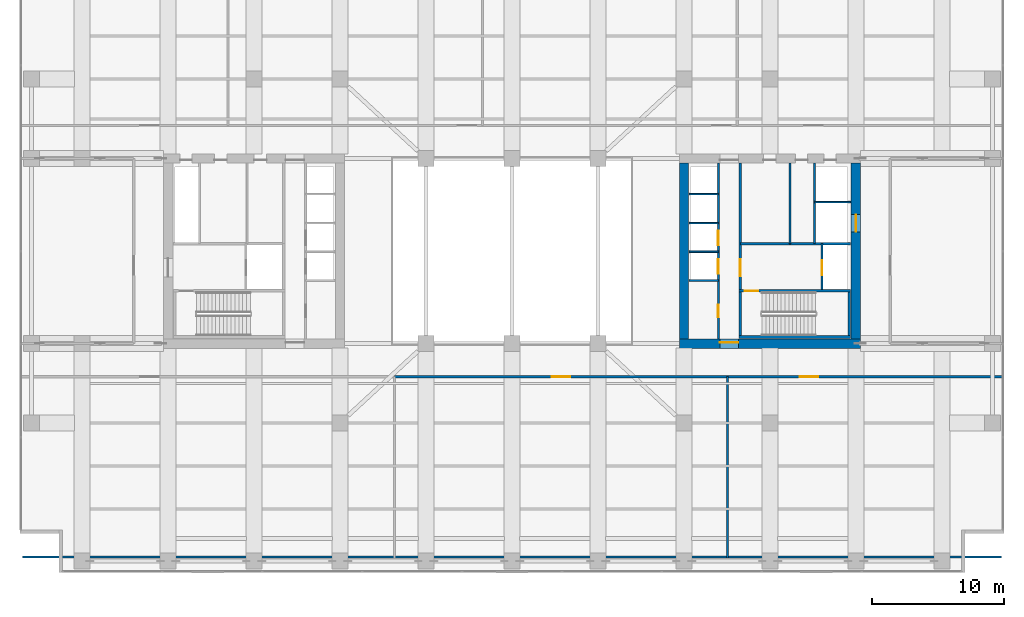
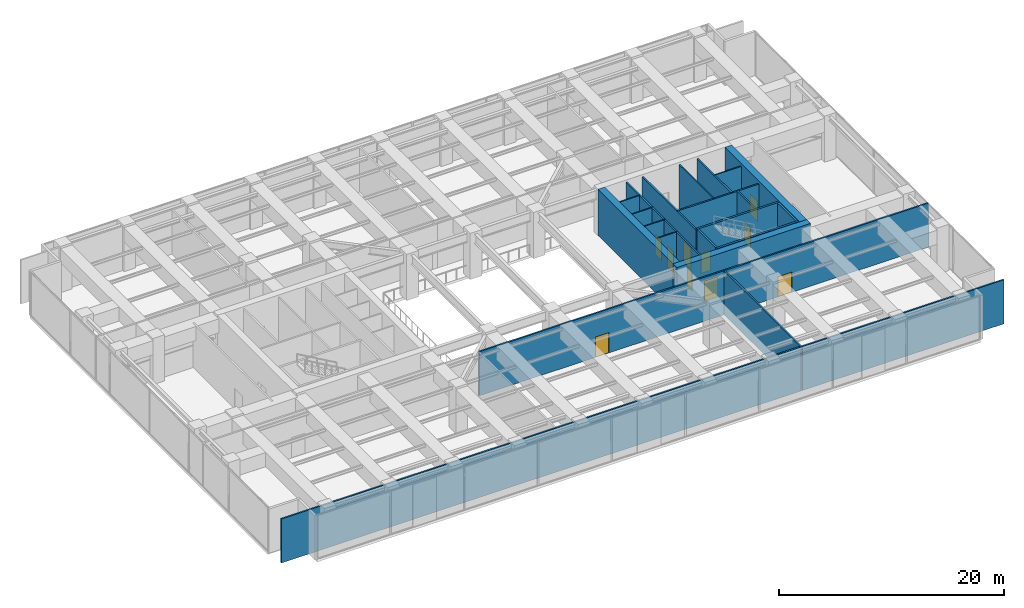
# One storey, part 22 of 28: 22 walls, 10 doors, 10 openings.
"""IFC4 building model written with IfcOpenShell, lengths in metres."""

from ifc_helpers import new_model, si_unit, direction, frame, frame_2d, origin, place, context, subcontext, project, spatial, rectangle, extrude, material, layer, layer_set, type_object, element, fill, save


model = new_model("IFC4")

# Units and contexts
model_context = context("Model", 3, precision=1e-05, world=origin(), true_north=direction((0.0, 1.0)))
body_context = subcontext(model_context, "Body", "Model", "MODEL_VIEW")
ifc_project = project(units=[si_unit("LENGTHUNIT", "METRE"), si_unit("AREAUNIT", "SQUARE_METRE"), si_unit("VOLUMEUNIT", "CUBIC_METRE"), si_unit("PLANEANGLEUNIT", "RADIAN"), si_unit("MASSUNIT", "GRAM", prefix="KILO")], contexts=[model_context])

# Site, building, storey
site_placement = place(None, origin())
site = spatial("IfcSite", under=ifc_project, at=site_placement, CompositionType="ELEMENT")
building_placement = place(site_placement, origin())
building = spatial("IfcBuilding", under=site, at=building_placement, Name="Putna Gate Headquarters", CompositionType="ELEMENT")
storey_placement = place(building_placement, frame((0.0, 0.0, 139.199951171875)))
storey = spatial("IfcBuildingStorey", under=building, at=storey_placement, Name="L34", CompositionType="ELEMENT", Elevation=139.199951171875)

# Wall, opening, door
ifc_material_1 = material(Name="Concrete C60/75", Category="concrete")
ifc_layer_1 = layer(ifc_material_1, 0.699951171875)
ifc_layer_set_1 = layer_set([ifc_layer_1], Name="Concrete C60/75")
wall_type_1 = type_object("IfcWallType", Name="WALL-CORE-700", PredefinedType="SHEAR", material=ifc_layer_set_1)
wall_1_placement = place(storey_placement, frame((51.64990234375, 19.0, 0.0), z_axis=(0.0, 0.0, 1.0), x_axis=(1.0, 0.0, 0.0)))
wall_1 = element("IfcWall", 1, at=wall_1_placement, inside=storey, type_object=wall_type_1, Name="L34 EC Split Core Shear Wall S", PredefinedType="SHEAR", context=body_context, shape_type="SweptSolid", body=[
    extrude(rectangle(XDim=13.7001953125, YDim=0.699951171875, at=frame_2d((6.85009765625, 0.0))), origin(), (0.0, 0.0, 1.0), 5.0),
])
opening_1_placement = place(wall_1_placement, frame((3.070068359375, 0.0, 0.0)))
opening_1 = element("IfcOpeningElement", 2, at=opening_1_placement, cuts=wall_1, Name="Opening FDD-140", PredefinedType="OPENING", context=body_context, shape_type="SweptSolid", body=[
    extrude(rectangle(XDim=1.39990234375, YDim=2.199951171875, at=frame_2d((0.699951171875, 1.10009765625))), frame((0.0, 0.35986328125, 0.0), z_axis=(0.0, -1.0, 0.0), x_axis=(1.0, 0.0, 0.0)), (0.0, 0.0, 1.0), 0.719970703125),
])
ifc_material_2 = material(Name="Double steel fire door", Category="steel")
door_type_1 = type_object("IfcDoorType", Name="DOOR-FIRE-DBL-1400", OperationType="DOUBLE_DOOR_SINGLE_SWING", PredefinedType="DOOR", material=ifc_material_2)
door_1_placement = place(opening_1_placement, origin())
door_1 = element("IfcDoor", 3, at=door_1_placement, inside=storey, type_object=door_type_1, Name="L34 East Lift Lobby South Door", OperationType="DOUBLE_DOOR_SINGLE_SWING", OverallHeight=2.199951171875, OverallWidth=1.39990234375, PredefinedType="DOOR", context=body_context, shape_type="SweptSolid", body=[
    extrude(rectangle(XDim=1.39990234375, YDim=2.199951171875, at=frame_2d((0.699951171875, 1.10009765625))), frame((0.0, 0.125, 0.0), z_axis=(0.0, -1.0, 0.0), x_axis=(1.0, 0.0, 0.0)), (0.0, 0.0, 1.0), 0.050048828125),
])
fill(opening_1, door_1)

# Wall
wall_2_placement = place(storey_placement, frame((52.0, 19.35009765625, 0.0), z_axis=(0.0, 0.0, 1.0), x_axis=(0.0, 1.0, 0.0)))
element("IfcWall", 4, at=wall_2_placement, inside=storey, type_object=wall_type_1, Name="L34 EC Split Core Shear Wall W", PredefinedType="SHEAR", context=body_context, shape_type="SweptSolid", body=[
    extrude(rectangle(XDim=13.2998046875, YDim=0.699951171875, at=frame_2d((6.64990234375, 0.0))), origin(), (0.0, 0.0, 1.0), 5.0),
])

# Wall, opening, door
wall_3_placement = place(storey_placement, frame((65.0, 19.35009765625, 0.0), z_axis=(0.0, 0.0, 1.0), x_axis=(0.0, 1.0, 0.0)))
wall_3 = element("IfcWall", 5, at=wall_3_placement, inside=storey, type_object=wall_type_1, Name="L34 EC Split Core Shear Wall E", PredefinedType="SHEAR", context=body_context, shape_type="SweptSolid", body=[
    extrude(rectangle(XDim=13.2998046875, YDim=0.699951171875, at=frame_2d((6.64990234375, 0.0))), origin(), (0.0, 0.0, 1.0), 5.0),
])
opening_2_placement = place(wall_3_placement, frame((8.10009765625, 0.0, 0.0)))
opening_2 = element("IfcOpeningElement", 6, at=opening_2_placement, cuts=wall_3, Name="Opening LD-2", PredefinedType="OPENING", context=body_context, shape_type="SweptSolid", body=[
    extrude(rectangle(XDim=1.300048828125, YDim=2.199951171875, at=frame_2d((0.64990234375, 1.10009765625))), frame((0.0, 0.35986328125, 0.0), z_axis=(0.0, -1.0, 0.0), x_axis=(1.0, 0.0, 0.0)), (0.0, 0.0, 1.0), 0.719970703125),
])
ifc_material_3 = material(Name="Heavy-duty goods lift sliding landing door")
door_type_2 = type_object("IfcDoorType", Name="DOOR-LIFT-1300", OperationType="DOUBLE_DOOR_SLIDING", PredefinedType="DOOR", material=ifc_material_3)
door_2_placement = place(opening_2_placement, origin())
door_2 = element("IfcDoor", 7, at=door_2_placement, inside=storey, type_object=door_type_2, Name="L34 Goods Lift Landing Door LD-15", OperationType="DOUBLE_DOOR_SLIDING", OverallHeight=2.199951171875, OverallWidth=1.300048828125, PredefinedType="DOOR", context=body_context, shape_type="SweptSolid", body=[
    extrude(rectangle(XDim=1.300048828125, YDim=2.199951171875, at=frame_2d((0.64990234375, 1.10009765625))), frame((0.0, 0.02490234375, 0.0), z_axis=(0.0, -1.0, 0.0), x_axis=(1.0, 0.0, 0.0)), (0.0, 0.0, 1.0), 0.050048828125),
])
fill(opening_2, door_2)

# Walls
ifc_material_4 = material(Name="Fire-rated shaftwall gypsum board on metal stud")
ifc_layer_2 = layer(ifc_material_4, 0.1201171875)
ifc_layer_set_2 = layer_set([ifc_layer_2], Name="Fire-rated shaftwall gypsum board on metal stud")
wall_type_2 = type_object("IfcWallType", Name="WALL-PART-120-EI120", PredefinedType="PARTITIONING", material=ifc_layer_set_2)
for number, where, z_axis, x_axis, name in (
    (8, (52.39990234375, 25.949951171875, 0.0), (0.0, 0.0, 1.0), (1.0, 0.0, 0.0), "L34 Interior Wall CWINT-L34-EC-LF07-DIV"),
    (9, (52.39990234375, 28.1201171875, 0.0), (0.0, 0.0, 1.0), (1.0, 0.0, 0.0), "L34 Interior Wall CWINT-L34-EC-LF08-DIV"),
    (10, (52.39990234375, 30.31005859375, 0.0), (0.0, 0.0, 1.0), (1.0, 0.0, 0.0), "L34 Interior Wall CWINT-L34-EC-LF11-DIV"),
):
    element("IfcWall", number, at=place(storey_placement, frame(where, z_axis=z_axis, x_axis=x_axis)), inside=storey, type_object=wall_type_2, Name=name, PredefinedType="PARTITIONING", context=body_context, shape_type="SweptSolid", body=[
        extrude(rectangle(XDim=2.2001953125, YDim=0.1201171875, at=frame_2d((1.10009765625, 0.0))), origin(), (0.0, 0.0, 1.0), 4.77197265625),
    ])
wall_4_placement = place(storey_placement, frame((61.8701171875, 29.699951171875, 0.0), z_axis=(0.0, 0.0, 1.0), x_axis=(1.0, 0.0, 0.0)))
element("IfcWall", 11, at=wall_4_placement, inside=storey, type_object=wall_type_2, Name="L34 Interior Wall CWINT-L34-EC-LF15-N", PredefinedType="PARTITIONING", context=body_context, shape_type="SweptSolid", body=[
    extrude(rectangle(XDim=2.72998046875, YDim=0.1201171875, at=frame_2d((1.364990234375, 0.0))), origin(), (0.0, 0.0, 1.0), 4.77197265625),
])
ifc_material_5 = material(Name="Fire-rated gypsum board on metal stud")
ifc_layer_3 = layer(ifc_material_5, 0.1201171875)
ifc_layer_set_3 = layer_set([ifc_layer_3], Name="Fire-rated gypsum board on metal stud")
wall_type_3 = type_object("IfcWallType", Name="WALL-PART-120-RATED", PredefinedType="PARTITIONING", material=ifc_layer_set_3)
wall_5_placement = place(storey_placement, frame((52.39990234375, 23.780029296875, 0.0), z_axis=(0.0, 0.0, 1.0), x_axis=(1.0, 0.0, 0.0)))
element("IfcWall", 12, at=wall_5_placement, inside=storey, type_object=wall_type_3, Name="L34 Interior Wall CWINT-L34-EC-LF04-DIV", PredefinedType="PARTITIONING", context=body_context, shape_type="SweptSolid", body=[
    extrude(rectangle(XDim=2.2001953125, YDim=0.1201171875, at=frame_2d((1.10009765625, 0.0))), origin(), (0.0, 0.0, 1.0), 4.77197265625),
])
wall_6_placement = place(storey_placement, frame((60.02001953125, 26.56005859375, 0.0), z_axis=(0.0, 0.0, 1.0), x_axis=(0.0, 1.0, 0.0)))
element("IfcWall", 13, at=wall_6_placement, inside=storey, type_object=wall_type_3, Name="L34 Interior Wall CWINT-L34-EC-K0-DIV", PredefinedType="PARTITIONING", context=body_context, shape_type="SweptSolid", body=[
    extrude(rectangle(XDim=6.08984375, YDim=0.1201171875, at=frame_2d((3.044921875, 0.0))), origin(), (0.0, 0.0, 1.0), 4.77197265625),
])

# Wall, openings, doors
ifc_material_6 = material(Name="Concrete C40/50", Category="concrete")
ifc_layer_4 = layer(ifc_material_6, 0.159912109375)
ifc_layer_set_4 = layer_set([ifc_layer_4], Name="Concrete C40/50")
wall_type_4 = type_object("IfcWallType", Name="WALL-SHAFT-160", PredefinedType="STANDARD", material=ifc_layer_set_4)
wall_7_placement = place(storey_placement, frame((54.60009765625, 19.35009765625, 0.0), z_axis=(0.0, 0.0, 1.0), x_axis=(0.0, 1.0, 0.0)))
wall_7 = element("IfcWall", 14, at=wall_7_placement, inside=storey, type_object=wall_type_4, Name="L34 Interior Wall CWINT-L34-EC-PL-WALL", PredefinedType="STANDARD", context=body_context, shape_type="SweptSolid", body=[
    extrude(rectangle(XDim=13.2998046875, YDim=0.159912109375, at=frame_2d((6.64990234375, 0.0))), origin(), (0.0, 0.0, 1.0), 4.77197265625),
])
opening_3_placement = place(wall_7_placement, frame((1.64990234375, 0.0, 0.0)))
opening_3 = element("IfcOpeningElement", 15, at=opening_3_placement, cuts=wall_7, Name="Opening IDS-95", PredefinedType="OPENING", context=body_context, shape_type="SweptSolid", body=[
    extrude(rectangle(XDim=0.949951171875, YDim=2.14990234375, at=frame_2d((0.47509765625, 1.074951171875))), frame((0.0, 0.08984375, 0.0), z_axis=(0.0, -1.0, 0.0), x_axis=(1.0, 0.0, 0.0)), (0.0, 0.0, 1.0), 0.179931640625),
])
opening_4_placement = place(wall_7_placement, frame((4.949951171875, 0.0, 0.0)))
opening_4 = element("IfcOpeningElement", 16, at=opening_4_placement, cuts=wall_7, Name="Opening LD-1", PredefinedType="OPENING", context=body_context, shape_type="SweptSolid", body=[
    extrude(rectangle(XDim=1.10009765625, YDim=2.199951171875, at=frame_2d((0.550048828125, 1.10009765625))), frame((0.0, 0.08984375, 0.0), z_axis=(0.0, -1.0, 0.0), x_axis=(1.0, 0.0, 0.0)), (0.0, 0.0, 1.0), 0.179931640625),
])
opening_5_placement = place(wall_7_placement, frame((7.10009765625, 0.0, 0.0)))
opening_5 = element("IfcOpeningElement", 17, at=opening_5_placement, cuts=wall_7, Name="Opening LD-1", PredefinedType="OPENING", context=body_context, shape_type="SweptSolid", body=[
    extrude(rectangle(XDim=1.10009765625, YDim=2.199951171875, at=frame_2d((0.550048828125, 1.10009765625))), frame((0.0, 0.08984375, 0.0), z_axis=(0.0, -1.0, 0.0), x_axis=(1.0, 0.0, 0.0)), (0.0, 0.0, 1.0), 0.179931640625),
])
ifc_material_7 = material(Name="Fire-rated service timber door", Category="wood")
door_type_3 = type_object("IfcDoorType", Name="DOOR-INT-950", OperationType="NOTDEFINED", PredefinedType="DOOR", material=ifc_material_7)
door_3_placement = place(opening_3_placement, origin())
door_3 = element("IfcDoor", 18, at=door_3_placement, inside=storey, type_object=door_type_3, Name="L34 Stationery Store Door", OperationType="SINGLE_SWING_RIGHT", OverallHeight=2.14990234375, OverallWidth=0.949951171875, PredefinedType="DOOR", context=body_context, shape_type="SweptSolid", body=[
    extrude(rectangle(XDim=0.949951171875, YDim=2.14990234375, at=frame_2d((0.47509765625, 1.074951171875))), frame((0.0, 0.02490234375, 0.0), z_axis=(0.0, -1.0, 0.0), x_axis=(1.0, 0.0, 0.0)), (0.0, 0.0, 1.0), 0.050048828125),
])
fill(opening_3, door_3)
ifc_material_8 = material(Name="Brushed bronze stainless lift landing door")
door_type_4 = type_object("IfcDoorType", Name="DOOR-LIFT-1100", OperationType="DOUBLE_DOOR_SLIDING", PredefinedType="DOOR", material=ifc_material_8)
door_4_placement = place(opening_4_placement, origin())
door_4 = element("IfcDoor", 19, at=door_4_placement, inside=storey, type_object=door_type_4, Name="L34 Lift Landing Door LD-07", OperationType="DOUBLE_DOOR_SLIDING", OverallHeight=2.199951171875, OverallWidth=1.10009765625, PredefinedType="DOOR", context=body_context, shape_type="SweptSolid", body=[
    extrude(rectangle(XDim=1.10009765625, YDim=2.199951171875, at=frame_2d((0.550048828125, 1.10009765625))), frame((0.0, 0.02490234375, 0.0), z_axis=(0.0, -1.0, 0.0), x_axis=(1.0, 0.0, 0.0)), (0.0, 0.0, 1.0), 0.050048828125),
])
fill(opening_4, door_4)
door_5_placement = place(opening_5_placement, origin())
door_5 = element("IfcDoor", 20, at=door_5_placement, inside=storey, type_object=door_type_4, Name="L34 Lift Landing Door LD-08", OperationType="DOUBLE_DOOR_SLIDING", OverallHeight=2.199951171875, OverallWidth=1.10009765625, PredefinedType="DOOR", context=body_context, shape_type="SweptSolid", body=[
    extrude(rectangle(XDim=1.10009765625, YDim=2.199951171875, at=frame_2d((0.550048828125, 1.10009765625))), frame((0.0, 0.02490234375, 0.0), z_axis=(0.0, -1.0, 0.0), x_axis=(1.0, 0.0, 0.0)), (0.0, 0.0, 1.0), 0.050048828125),
])
fill(opening_5, door_5)

# Wall, opening, door
wall_8_placement = place(storey_placement, frame((56.260009765625, 23.090087890625, 0.0), z_axis=(0.0, 0.0, 1.0), x_axis=(0.0, 1.0, 0.0)))
wall_8 = element("IfcWall", 21, at=wall_8_placement, inside=storey, type_object=wall_type_4, Name="L34 Interior Wall CWINT-L34-EC-LOB-E", PredefinedType="STANDARD", context=body_context, shape_type="SweptSolid", body=[
    extrude(rectangle(XDim=9.559814453125, YDim=0.159912109375, at=frame_2d((4.77978515625, 0.0))), origin(), (0.0, 0.0, 1.0), 4.77197265625),
])
opening_6_placement = place(wall_8_placement, frame((1.010009765625, 0.0, 0.0)))
opening_6 = element("IfcOpeningElement", 22, at=opening_6_placement, cuts=wall_8, Name="Opening FDD-130", PredefinedType="OPENING", context=body_context, shape_type="SweptSolid", body=[
    extrude(rectangle(XDim=1.300048828125, YDim=2.199951171875, at=frame_2d((0.64990234375, 1.10009765625))), frame((0.0, 0.08984375, 0.0), z_axis=(0.0, -1.0, 0.0), x_axis=(1.0, 0.0, 0.0)), (0.0, 0.0, 1.0), 0.179931640625),
])
ifc_material_9 = material(Name="Double steel lobby fire door", Category="steel")
door_type_5 = type_object("IfcDoorType", Name="DOOR-FIRE-DBL-1300", OperationType="DOUBLE_DOOR_SINGLE_SWING", PredefinedType="DOOR", material=ifc_material_9)
door_6_placement = place(opening_6_placement, origin())
door_6 = element("IfcDoor", 23, at=door_6_placement, inside=storey, type_object=door_type_5, Name="L34 East Firefighting Lobby Door", OperationType="DOUBLE_DOOR_SINGLE_SWING", OverallHeight=2.199951171875, OverallWidth=1.300048828125, PredefinedType="DOOR", context=body_context, shape_type="SweptSolid", body=[
    extrude(rectangle(XDim=1.300048828125, YDim=2.199951171875, at=frame_2d((0.64990234375, 1.10009765625))), frame((0.0, 0.02490234375, 0.0), z_axis=(0.0, -1.0, 0.0), x_axis=(1.0, 0.0, 0.0)), (0.0, 0.0, 1.0), 0.050048828125),
])
fill(opening_6, door_6)

wall_9_placement = place(storey_placement, frame((62.429931640625, 23.090087890625, 0.0), z_axis=(0.0, 0.0, 1.0), x_axis=(0.0, 1.0, 0.0)))
wall_9 = element("IfcWall", 24, at=wall_9_placement, inside=storey, type_object=wall_type_4, Name="L34 Interior Wall CWINT-L34-EC-LF14-W", PredefinedType="STANDARD", context=body_context, shape_type="SweptSolid", body=[
    extrude(rectangle(XDim=3.469970703125, YDim=0.159912109375, at=frame_2d((1.73486328125, 0.0))), origin(), (0.0, 0.0, 1.0), 4.77197265625),
])
opening_7_placement = place(wall_9_placement, frame((1.10009765625, 0.0, 0.0)))
opening_7 = element("IfcOpeningElement", 25, at=opening_7_placement, cuts=wall_9, Name="Opening LD-1", PredefinedType="OPENING", context=body_context, shape_type="SweptSolid", body=[
    extrude(rectangle(XDim=1.10009765625, YDim=2.199951171875, at=frame_2d((0.550048828125, 1.10009765625))), frame((0.0, 0.08984375, 0.0), z_axis=(0.0, -1.0, 0.0), x_axis=(1.0, 0.0, 0.0)), (0.0, 0.0, 1.0), 0.179931640625),
])
door_7_placement = place(opening_7_placement, origin())
door_7 = element("IfcDoor", 26, at=door_7_placement, inside=storey, type_object=door_type_4, Name="L34 Lift Landing Door LD-14", OperationType="DOUBLE_DOOR_SLIDING", OverallHeight=2.199951171875, OverallWidth=1.10009765625, PredefinedType="DOOR", context=body_context, shape_type="SweptSolid", body=[
    extrude(rectangle(XDim=1.10009765625, YDim=2.199951171875, at=frame_2d((0.550048828125, 1.10009765625))), frame((0.0, 0.02490234375, 0.0), z_axis=(0.0, -1.0, 0.0), x_axis=(1.0, 0.0, 0.0)), (0.0, 0.0, 1.0), 0.050048828125),
])
fill(opening_7, door_7)

# Walls
wall_10_placement = place(storey_placement, frame((56.260009765625, 26.56005859375, 0.0), z_axis=(0.0, 0.0, 1.0), x_axis=(1.0, 0.0, 0.0)))
element("IfcWall", 27, at=wall_10_placement, inside=storey, type_object=wall_type_4, Name="L34 Interior Wall CWINT-L34-EC-FFL-N", PredefinedType="STANDARD", context=body_context, shape_type="SweptSolid", body=[
    extrude(rectangle(XDim=8.340087890625, YDim=0.159912109375, at=frame_2d((4.169921875, 0.0))), origin(), (0.0, 0.0, 1.0), 4.77197265625),
])
wall_11_placement = place(storey_placement, frame((61.8701171875, 26.56005859375, 0.0), z_axis=(0.0, 0.0, 1.0), x_axis=(0.0, 1.0, 0.0)))
element("IfcWall", 28, at=wall_11_placement, inside=storey, type_object=wall_type_4, Name="L34 Interior Wall CWINT-L34-EC-LF15-W", PredefinedType="STANDARD", context=body_context, shape_type="SweptSolid", body=[
    extrude(rectangle(XDim=6.08984375, YDim=0.159912109375, at=frame_2d((3.044921875, 0.0))), origin(), (0.0, 0.0, 1.0), 4.77197265625),
])
wall_12_placement = place(storey_placement, frame((1.97998046875, 2.8701171875, 0.0), z_axis=(0.0, 0.0, 1.0), x_axis=(1.0, 0.0, 0.0)))
element("IfcWall", 29, at=wall_12_placement, inside=storey, type_object=wall_type_4, Name="L34 Interior Wall PART-L34-BELT-S", PredefinedType="STANDARD", context=body_context, shape_type="SweptSolid", body=[
    extrude(rectangle(XDim=74.0400390625, YDim=0.159912109375, at=frame_2d((37.02001953125, 0.0))), origin(), (0.0, 0.0, 1.0), 4.77197265625),
])
wall_13_placement = place(storey_placement, frame((55.288818359375, 2.7900390625, 0.0), z_axis=(0.0, 0.0, 1.0), x_axis=(0.0, 1.0, 0.0)))
element("IfcWall", 30, at=wall_13_placement, inside=storey, type_object=wall_type_4, Name="L34 Interior Wall PART-L34-PS-DIV2", PredefinedType="STANDARD", context=body_context, shape_type="SweptSolid", body=[
    extrude(rectangle(XDim=13.7099609375, YDim=0.159912109375, at=frame_2d((6.85498046875, 0.0))), origin(), (0.0, 0.0, 1.0), 4.77197265625),
])

# Wall, opening, door
wall_14_placement = place(storey_placement, frame((30.115234375, 16.5, 0.0), z_axis=(0.0, 0.0, 1.0), x_axis=(1.0, 0.0, 0.0)))
wall_14 = element("IfcWall", 31, at=wall_14_placement, inside=storey, type_object=wall_type_4, Name="L34 Interior Wall PART-L34-PS-CW2", PredefinedType="STANDARD", context=body_context, shape_type="SweptSolid", body=[
    extrude(rectangle(XDim=25.173583984375, YDim=0.159912109375, at=frame_2d((12.5869140625, 0.0))), origin(), (0.0, 0.0, 1.0), 4.77197265625),
])
opening_8_placement = place(wall_14_placement, frame((11.88671875, 0.0, 0.0)))
opening_8 = element("IfcOpeningElement", 32, at=opening_8_placement, cuts=wall_14, Name="Opening FDD-140", PredefinedType="OPENING", context=body_context, shape_type="SweptSolid", body=[
    extrude(rectangle(XDim=1.39990234375, YDim=2.199951171875, at=frame_2d((0.699951171875, 1.10009765625))), frame((0.0, 0.08984375, 0.0), z_axis=(0.0, -1.0, 0.0), x_axis=(1.0, 0.0, 0.0)), (0.0, 0.0, 1.0), 0.179931640625),
])
door_8_placement = place(opening_8_placement, origin())
door_8 = element("IfcDoor", 33, at=door_8_placement, inside=storey, type_object=door_type_1, Name="L34 Thermal Energy Storage and Calorifier Plant Door", OperationType="DOUBLE_DOOR_SINGLE_SWING", OverallHeight=2.199951171875, OverallWidth=1.39990234375, PredefinedType="DOOR", context=body_context, shape_type="SweptSolid", body=[
    extrude(rectangle(XDim=1.39990234375, YDim=2.199951171875, at=frame_2d((0.699951171875, 1.10009765625))), frame((0.0, 0.02490234375, 0.0), z_axis=(0.0, -1.0, 0.0), x_axis=(1.0, 0.0, 0.0)), (0.0, 0.0, 1.0), 0.050048828125),
])
fill(opening_8, door_8)

wall_15_placement = place(storey_placement, frame((55.288818359375, 16.5, 0.0), z_axis=(0.0, 0.0, 1.0), x_axis=(1.0, 0.0, 0.0)))
wall_15 = element("IfcWall", 34, at=wall_15_placement, inside=storey, type_object=wall_type_4, Name="L34 Interior Wall PART-L34-PS-CW3", PredefinedType="STANDARD", context=body_context, shape_type="SweptSolid", body=[
    extrude(rectangle(XDim=20.89111328125, YDim=0.159912109375, at=frame_2d((10.445556640625, 0.0))), origin(), (0.0, 0.0, 1.0), 4.77197265625),
])
opening_9_placement = place(wall_15_placement, frame((5.45556640625, 0.0, 0.0)))
opening_9 = element("IfcOpeningElement", 35, at=opening_9_placement, cuts=wall_15, Name="Opening FDD-140", PredefinedType="OPENING", context=body_context, shape_type="SweptSolid", body=[
    extrude(rectangle(XDim=1.39990234375, YDim=2.199951171875, at=frame_2d((0.699951171875, 1.10009765625))), frame((0.0, 0.08984375, 0.0), z_axis=(0.0, -1.0, 0.0), x_axis=(1.0, 0.0, 0.0)), (0.0, 0.0, 1.0), 0.179931640625),
])
door_9_placement = place(opening_9_placement, origin())
door_9 = element("IfcDoor", 36, at=door_9_placement, inside=storey, type_object=door_type_1, Name="L34 Emergency Power and UPS Battery Plant Room Door", OperationType="DOUBLE_DOOR_SINGLE_SWING", OverallHeight=2.199951171875, OverallWidth=1.39990234375, PredefinedType="DOOR", context=body_context, shape_type="SweptSolid", body=[
    extrude(rectangle(XDim=1.39990234375, YDim=2.199951171875, at=frame_2d((0.699951171875, 1.10009765625))), frame((0.0, 0.02490234375, 0.0), z_axis=(0.0, -1.0, 0.0), x_axis=(1.0, 0.0, 0.0)), (0.0, 0.0, 1.0), 0.050048828125),
])
fill(opening_9, door_9)

# Wall
ifc_layer_5 = layer(ifc_material_6, 0.199951171875)
ifc_layer_set_5 = layer_set([ifc_layer_5], Name="Concrete C40/50")
wall_type_5 = type_object("IfcWallType", Name="WALL-SHAFT-RC200", PredefinedType="SHEAR", material=ifc_layer_set_5)
wall_16_placement = place(storey_placement, frame((56.159912109375, 19.510009765625, 0.0), z_axis=(0.0, 0.0, 1.0), x_axis=(1.0, 0.0, 0.0)))
element("IfcWall", 37, at=wall_16_placement, inside=storey, type_object=wall_type_5, Name="L34 Stair ST2 Structural Shaft Wall S", PredefinedType="SHEAR", context=body_context, shape_type="SweptSolid", body=[
    extrude(rectangle(XDim=8.43017578125, YDim=0.199951171875, at=frame_2d((4.215087890625, 0.0))), origin(), (0.0, 0.0, 1.0), 5.0),
])

# Wall, opening, door
wall_17_placement = place(storey_placement, frame((56.159912109375, 22.989990234375, 0.0), z_axis=(0.0, 0.0, 1.0), x_axis=(1.0, 0.0, 0.0)))
wall_17 = element("IfcWall", 38, at=wall_17_placement, inside=storey, type_object=wall_type_5, Name="L34 Stair ST2 Structural Shaft Wall N", PredefinedType="SHEAR", context=body_context, shape_type="SweptSolid", body=[
    extrude(rectangle(XDim=8.43017578125, YDim=0.199951171875, at=frame_2d((4.215087890625, 0.0))), origin(), (0.0, 0.0, 1.0), 5.0),
])
opening_10_placement = place(wall_17_placement, frame((0.449951171875, 0.0, 0.0)))
opening_10 = element("IfcOpeningElement", 39, at=opening_10_placement, cuts=wall_17, Name="Opening FD-100", PredefinedType="OPENING", context=body_context, shape_type="SweptSolid", body=[
    extrude(rectangle(XDim=1.0, YDim=2.14990234375, at=frame_2d((0.5, 1.074951171875))), frame((0.0, 0.10986328125, 0.0), z_axis=(0.0, -1.0, 0.0), x_axis=(1.0, 0.0, 0.0)), (0.0, 0.0, 1.0), 0.219970703125),
])
ifc_material_10 = material(Name="Powder-coated steel fire door", Category="steel")
door_type_6 = type_object("IfcDoorType", Name="DOOR-FIRE-1000", OperationType="NOTDEFINED", PredefinedType="DOOR", material=ifc_material_10)
door_10_placement = place(opening_10_placement, origin())
door_10 = element("IfcDoor", 40, at=door_10_placement, inside=storey, type_object=door_type_6, Name="L34 Stair ST2 Fire Door", OperationType="SINGLE_SWING_RIGHT", OverallHeight=2.14990234375, OverallWidth=1.0, PredefinedType="DOOR", context=body_context, shape_type="SweptSolid", body=[
    extrude(rectangle(XDim=1.0, YDim=2.14990234375, at=frame_2d((0.5, 1.074951171875))), frame((0.0, 0.02490234375, 0.0), z_axis=(0.0, -1.0, 0.0), x_axis=(1.0, 0.0, 0.0)), (0.0, 0.0, 1.0), 0.050048828125),
])
fill(opening_10, door_10)

# Walls
for number, where, z_axis, x_axis, name in (
    (41, (56.260009765625, 19.610107421875, 0.0), (0.0, 0.0, 1.0), (0.0, 1.0, 0.0), "L34 Stair ST2 Structural Shaft Wall W"),
    (42, (64.489990234375, 19.610107421875, 0.0), (0.0, 0.0, 1.0), (0.0, 1.0, 0.0), "L34 Stair ST2 Structural Shaft Wall E"),
):
    element("IfcWall", number, at=place(storey_placement, frame(where, z_axis=z_axis, x_axis=x_axis)), inside=storey, type_object=wall_type_5, Name=name, PredefinedType="SHEAR", context=body_context, shape_type="SweptSolid", body=[
        extrude(rectangle(XDim=3.27978515625, YDim=0.199951171875, at=frame_2d((1.639892578125, 0.0))), origin(), (0.0, 0.0, 1.0), 5.0),
    ])

save(model, "model.ifc")
